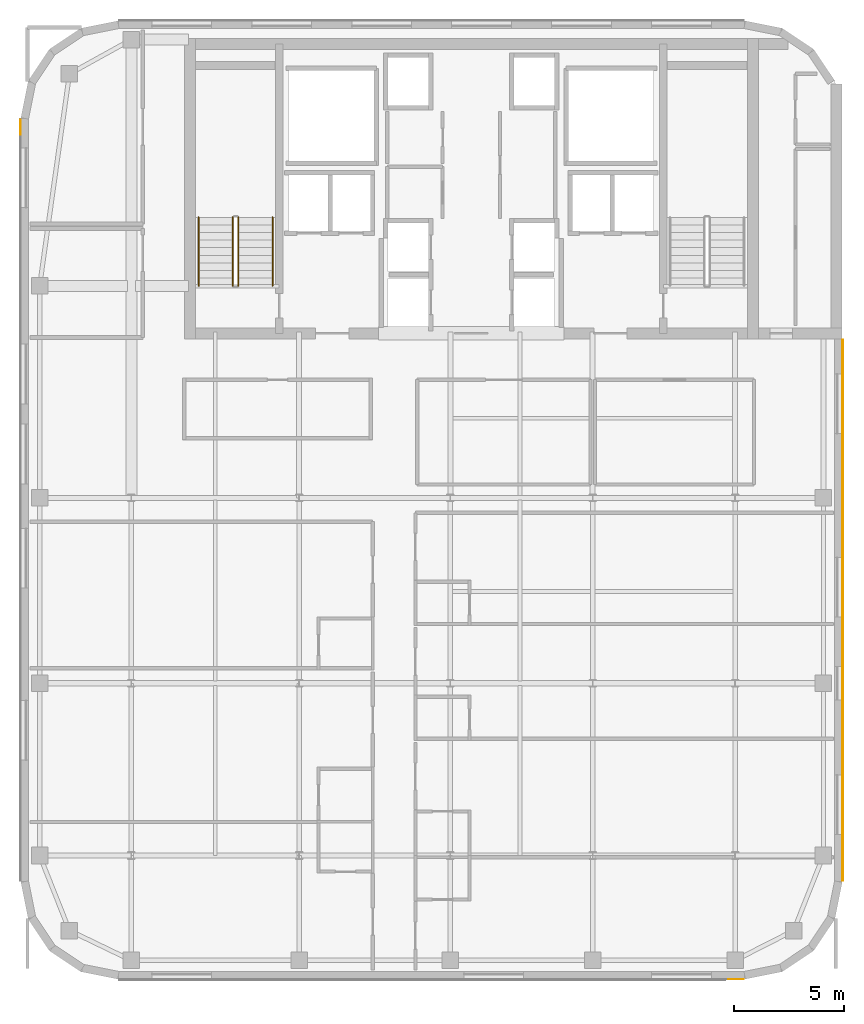
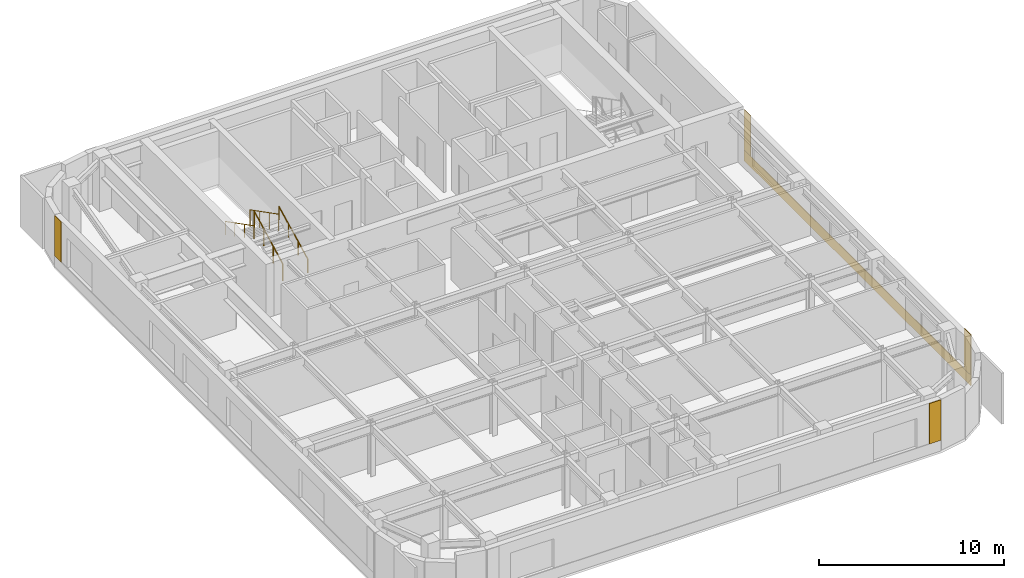
# One storey, part 10 of 11: 5 coverings, 4 railings.
"""IFC4 building model written with IfcOpenShell, lengths in metres."""

from ifc_helpers import new_model, si_unit, direction, frame, origin, origin_2d, place, context, subcontext, project, spatial, polyline, circle, outline, extrude, material, layer, layer_set, type_object, element, save


model = new_model("IFC4")

# Units and contexts
model_context = context("Model", 3, precision=1e-05, world=origin(), true_north=direction((0.0, 1.0)))
body_context = subcontext(model_context, "Body", "Model", "MODEL_VIEW")
ifc_project = project(units=[si_unit("LENGTHUNIT", "METRE"), si_unit("AREAUNIT", "SQUARE_METRE"), si_unit("VOLUMEUNIT", "CUBIC_METRE"), si_unit("PLANEANGLEUNIT", "RADIAN"), si_unit("MASSUNIT", "GRAM", prefix="KILO")], contexts=[model_context])

# Site, building, storey
site_placement = place(None, origin())
site = spatial("IfcSite", under=ifc_project, at=site_placement, CompositionType="ELEMENT")
building_placement = place(site_placement, origin())
building = spatial("IfcBuilding", under=site, at=building_placement, Name="Tolvann Quenvar Hotel", CompositionType="ELEMENT")
storey_placement = place(building_placement, frame((0.0, 0.0, 234.550048828125)))
storey = spatial("IfcBuildingStorey", under=building, at=storey_placement, Name="L62", CompositionType="ELEMENT", Elevation=234.550048828125)

# Coverings
ifc_material_1 = material(Name="Kiln-fired red architectural face brick cladding", Category="masonry")
ifc_layer_1 = layer(ifc_material_1, 0.0400390625)
ifc_layer_set_1 = layer_set([ifc_layer_1], Name="Kiln-fired red architectural face brick cladding")
covering_type_1 = type_object("IfcCoveringType", Name="COV_CLAD_BRICK_40", PredefinedType="CLADDING", material=ifc_layer_set_1)
covering_1_placement = place(storey_placement, frame((0.0, 0.0, 0.699951171875)))
element("IfcCovering", 1, at=covering_1_placement, inside=storey, type_object=covering_type_1, Name="Brick Pier Cladding (L62-E04-P2)", PredefinedType="CLADDING", context=body_context, shape_type="SweptSolid", body=[
    extrude(outline(polyline([(34.6328125, 2.60009765625), (35.332763671875, 2.60009765625), (35.332763671875, 2.56005859375), (34.6328125, 2.56005859375), (34.6328125, 2.60009765625)])), origin(), (0.0, 0.0, 1.0), 2.669921875),
])
covering_2_placement = place(storey_placement, frame((0.0, 0.0, 0.699951171875)))
element("IfcCovering", 2, at=covering_2_placement, inside=storey, type_object=covering_type_1, Name="Brick Pier Cladding (L62-E09-P1)", PredefinedType="CLADDING", context=body_context, shape_type="SweptSolid", body=[
    extrude(outline(polyline([(39.800048828125, 7.067138671875), (39.800048828125, 7.76708984375), (39.840087890625, 7.76708984375), (39.840087890625, 7.067138671875), (39.800048828125, 7.067138671875)])), origin(), (0.0, 0.0, 1.0), 2.669921875),
])
covering_3_placement = place(storey_placement, frame((0.0, 0.0, 0.699951171875)))
element("IfcCovering", 3, at=covering_3_placement, inside=storey, type_object=covering_type_1, Name="Brick Pier Cladding (L62-E09-P2)", PredefinedType="CLADDING", context=body_context, shape_type="SweptSolid", body=[
    extrude(outline(polyline([(39.800048828125, 30.845947265625), (39.800048828125, 31.5458984375), (39.840087890625, 31.5458984375), (39.840087890625, 30.845947265625), (39.800048828125, 30.845947265625)])), origin(), (0.0, 0.0, 1.0), 2.669921875),
])
covering_4_placement = place(storey_placement, frame((0.0, 0.0, 0.699951171875)))
element("IfcCovering", 4, at=covering_4_placement, inside=storey, type_object=covering_type_1, Name="Brick Pier Cladding (L62-E19-P1)", PredefinedType="CLADDING", context=body_context, shape_type="SweptSolid", body=[
    extrude(outline(polyline([(2.60009765625, 41.53271484375), (2.60009765625, 40.832763671875), (2.56005859375, 40.832763671875), (2.56005859375, 41.53271484375), (2.60009765625, 41.53271484375)])), origin(), (0.0, 0.0, 1.0), 2.669921875),
])
ifc_material_2 = material(Name="Moulded buff architectural terracotta spandrel cladding", Category="masonry")
ifc_layer_2 = layer(ifc_material_2, 0.0400390625)
ifc_layer_set_2 = layer_set([ifc_layer_2], Name="Moulded buff architectural terracotta spandrel cladding")
covering_type_2 = type_object("IfcCoveringType", Name="COV_CLAD_TERRA_40", PredefinedType="CLADDING", material=ifc_layer_set_2)
covering_5_placement = place(storey_placement, origin())
element("IfcCovering", 5, at=covering_5_placement, inside=storey, type_object=covering_type_2, Name="Terracotta Spandrel Cladding (L62-E09)", PredefinedType="CLADDING", context=body_context, shape_type="SweptSolid", body=[
    extrude(outline(polyline([(39.800048828125, 7.05712890625), (39.800048828125, 31.555908203125), (39.840087890625, 31.555908203125), (39.840087890625, 7.05712890625), (39.800048828125, 7.05712890625)])), origin(), (0.0, 0.0, 1.0), 0.699951171875),
])

# Railings
ifc_material_3 = material(Name="Brushed 316 stainless steel balustrade and handrail", Category="steel")
railing_type_1 = type_object("IfcRailingType", Name="GUARDRAIL", PredefinedType="GUARDRAIL", material=ifc_material_3)
railing_1_placement = place(storey_placement, frame((12.449951171875, 34.0, 0.177490234375)))
element("IfcRailing", 6, at=railing_1_placement, inside=storey, type_object=railing_type_1, Name="L62 ST-C1 stair guard 1", PredefinedType="GUARDRAIL", context=body_context, shape_type="SweptSolid", body=[
    extrude(circle(Radius=0.02392578125, at=origin_2d()), frame((0.0, 0.0, 1.09619140625), z_axis=(0.0, 0.889221982265, 0.45747597342), x_axis=(-1.0, 0.0, 0.0)), (0.0, 0.0, 1.0), 3.49169921875),
    extrude(circle(Radius=0.02099609375, at=origin_2d()), origin(), (0.0, 0.0, 1.0), 1.072021484375),
    extrude(circle(Radius=0.02099609375, at=origin_2d()), frame((0.0, 1.034912109375, 0.532470703125)), (0.0, 0.0, 1.0), 1.072021484375),
    extrude(circle(Radius=0.02099609375, at=origin_2d()), frame((0.0, 2.070068359375, 1.06494140625)), (0.0, 0.0, 1.0), 1.072021484375),
    extrude(circle(Radius=0.02099609375, at=origin_2d()), frame((0.0, 3.10498046875, 1.597412109375)), (0.0, 0.0, 1.0), 1.072021484375),
])
railing_2_placement = place(storey_placement, frame((12.199951171875, 37.10498046875, 1.952392578125)))
element("IfcRailing", 7, at=railing_2_placement, inside=storey, type_object=railing_type_1, Name="L62 ST-C1 stair guard 3", PredefinedType="GUARDRAIL", context=body_context, shape_type="SweptSolid", body=[
    extrude(circle(Radius=0.02392578125, at=origin_2d()), frame((0.0, 0.0, 1.09619140625), z_axis=(0.0, -0.88919353882, 0.457531256332), x_axis=(1.0, 0.0, 0.0)), (0.0, 0.0, 1.0), 3.491943359375),
    extrude(circle(Radius=0.02099609375, at=origin_2d()), origin(), (0.0, 0.0, 1.0), 1.072021484375),
    extrude(circle(Radius=0.02099609375, at=origin_2d()), frame((0.0, -1.034912109375, 0.532470703125)), (0.0, 0.0, 1.0), 1.072021484375),
    extrude(circle(Radius=0.02099609375, at=origin_2d()), frame((0.0, -2.070068359375, 1.065185546875)), (0.0, 0.0, 1.0), 1.072021484375),
    extrude(circle(Radius=0.02099609375, at=origin_2d()), frame((0.0, -3.10498046875, 1.59765625)), (0.0, 0.0, 1.0), 1.072021484375),
])
railing_type_2 = type_object("IfcRailingType", Name="HANDRAIL", PredefinedType="HANDRAIL", material=ifc_material_3)
railing_3_placement = place(storey_placement, frame((14.0, 34.0, 0.177490234375)))
element("IfcRailing", 8, at=railing_3_placement, inside=storey, type_object=railing_type_2, Name="L62 ST-C1 stair handrail 1", PredefinedType="HANDRAIL", context=body_context, shape_type="SweptSolid", body=[
    extrude(circle(Radius=0.02392578125, at=origin_2d()), frame((0.0, 0.0, 0.8759765625), z_axis=(0.0, 0.889221982265, 0.45747597342), x_axis=(-1.0, 0.0, 0.0)), (0.0, 0.0, 1.0), 3.49169921875),
    extrude(circle(Radius=0.02099609375, at=origin_2d()), origin(), (0.0, 0.0, 1.0), 0.851806640625),
    extrude(circle(Radius=0.02099609375, at=origin_2d()), frame((0.0, 1.034912109375, 0.532470703125)), (0.0, 0.0, 1.0), 0.851806640625),
    extrude(circle(Radius=0.02099609375, at=origin_2d()), frame((0.0, 2.070068359375, 1.06494140625)), (0.0, 0.0, 1.0), 0.851806640625),
    extrude(circle(Radius=0.02099609375, at=origin_2d()), frame((0.0, 3.10498046875, 1.597412109375)), (0.0, 0.0, 1.0), 0.851806640625),
])
railing_4_placement = place(storey_placement, frame((10.64990234375, 37.10498046875, 1.952392578125)))
element("IfcRailing", 9, at=railing_4_placement, inside=storey, type_object=railing_type_2, Name="L62 ST-C1 stair handrail 2", PredefinedType="HANDRAIL", context=body_context, shape_type="SweptSolid", body=[
    extrude(circle(Radius=0.02392578125, at=origin_2d()), frame((0.0, 0.0, 0.8759765625), z_axis=(0.0, -0.88919353882, 0.457531256332), x_axis=(1.0, 0.0, 0.0)), (0.0, 0.0, 1.0), 3.491943359375),
    extrude(circle(Radius=0.02099609375, at=origin_2d()), origin(), (0.0, 0.0, 1.0), 0.851806640625),
    extrude(circle(Radius=0.02099609375, at=origin_2d()), frame((0.0, -1.034912109375, 0.532470703125)), (0.0, 0.0, 1.0), 0.851806640625),
    extrude(circle(Radius=0.02099609375, at=origin_2d()), frame((0.0, -2.070068359375, 1.065185546875)), (0.0, 0.0, 1.0), 0.851806640625),
    extrude(circle(Radius=0.02099609375, at=origin_2d()), frame((0.0, -3.10498046875, 1.59765625)), (0.0, 0.0, 1.0), 0.851806640625),
])

save(model, "model.ifc")
